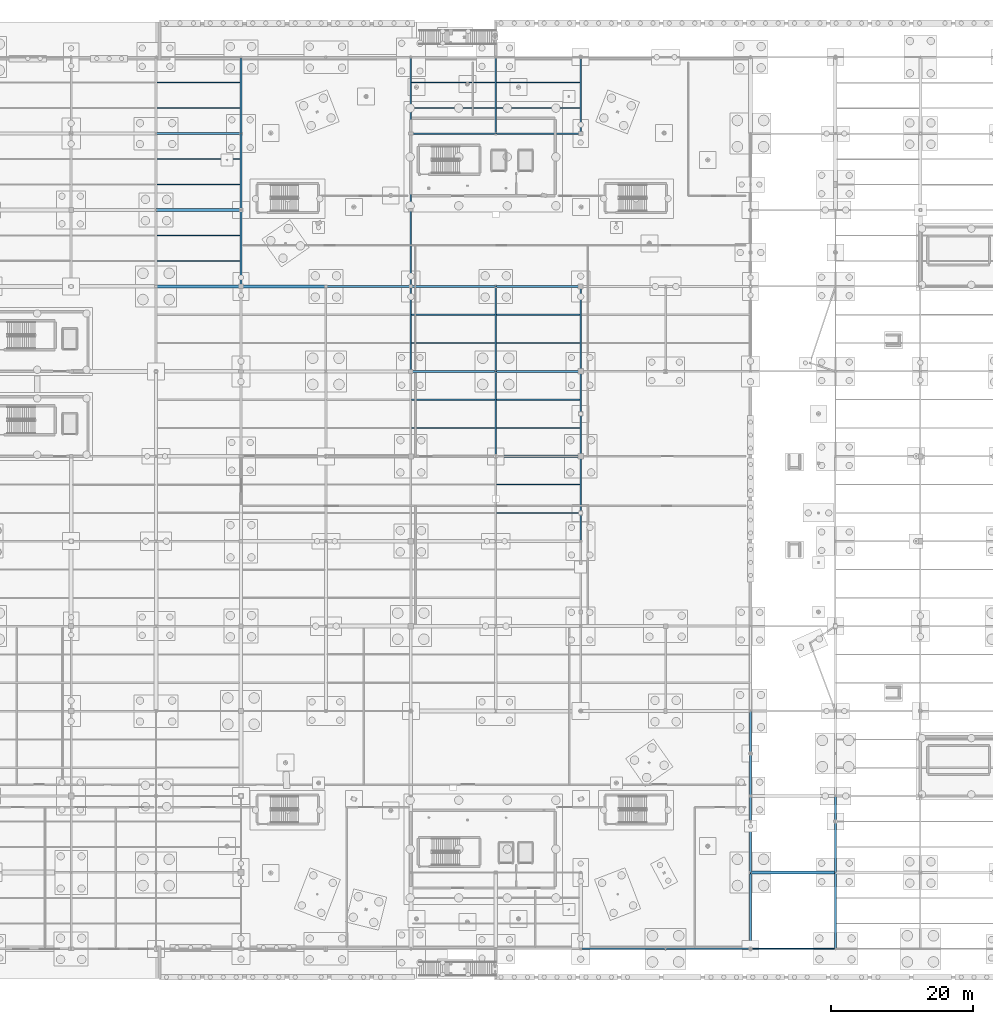
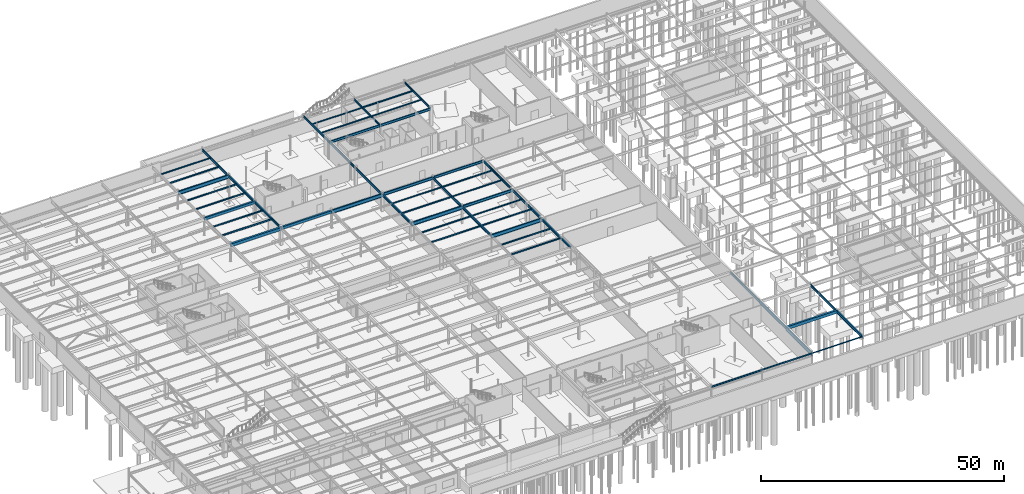
# One storey, part 83 of 136: 55 beams.
"""IFC4 building model written with IfcOpenShell, lengths in metres."""

from ifc_helpers import new_model, si_unit, direction, frame, origin, origin_2d, place, context, subcontext, project, spatial, rectangle, hollow_rectangle, i_section, extrude, material, material_profile, profile_set, type_object, element, save


model = new_model("IFC4")

# Units and contexts
model_context = context("Model", 3, precision=1e-05, world=origin(), true_north=direction((0.0, 1.0)))
body_context = subcontext(model_context, "Body", "Model", "MODEL_VIEW")
ifc_project = project(units=[si_unit("LENGTHUNIT", "METRE"), si_unit("AREAUNIT", "SQUARE_METRE"), si_unit("VOLUMEUNIT", "CUBIC_METRE"), si_unit("PLANEANGLEUNIT", "RADIAN"), si_unit("MASSUNIT", "GRAM", prefix="KILO")], contexts=[model_context])

# Site, building, storey
site_placement = place(None, origin())
site = spatial("IfcSite", under=ifc_project, at=site_placement, CompositionType="ELEMENT")
building_placement = place(site_placement, origin())
building = spatial("IfcBuilding", under=site, at=building_placement, Name="Tarnwether General Hospital", CompositionType="ELEMENT")
storey_placement = place(building_placement, frame((0.0, 0.0, -4.800048828125)))
storey = spatial("IfcBuildingStorey", under=building, at=storey_placement, Name="LG", CompositionType="ELEMENT", Elevation=-4.800048828125)

# Beams
ifc_material_1 = material(Name="Steel Grade 350 (350 MPa)", Category="steel")
ifc_material_profile_1 = material_profile(ifc_material_1, i_section(OverallWidth=0.300048828125, OverallDepth=0.89990234375, WebThickness=0.011962890625, FlangeThickness=0.02001953125, at=origin_2d()), Name="900WB175")
ifc_profile_set_1 = profile_set([ifc_material_profile_1], Name="Steel Grade 350 (350 MPa)")
beam_type_1 = type_object("IfcBeamType", Name="BM-G01", PredefinedType="BEAM", material=ifc_profile_set_1)
for number, where, z_axis, x_axis, name in (
    (1, (48.0, 115.199951171875, 3.97998046875), (1.0, 0.0, 0.0), (0.0, 1.0, 0.0), "Primary Girder BMG-LG-4800_11520-6000_11520-0119"),
    (2, (72.0, 93.60009765625, 3.97998046875), (1.0, 0.0, 0.0), (0.0, 1.0, 0.0), "Primary Girder BMG-LG-7200_9360-8400_9360-0152"),
    (3, (84.0, 81.60009765625, 3.97998046875), (1.0, 0.0, 0.0), (0.0, 1.0, 0.0), "Primary Girder BMG-LG-8400_8160-9600_8160-0167"),
    (4, (96.0, 69.60009765625, 3.97998046875), (1.0, 0.0, 0.0), (0.0, 1.0, 0.0), "Primary Girder BMG-LG-9600_6960-10800_6960-0184"),
):
    element("IfcBeam", number, at=place(storey_placement, frame(where, z_axis=z_axis, x_axis=x_axis)), inside=storey, type_object=beam_type_1, Name=name, PredefinedType="BEAM", context=body_context, shape_type="SweptSolid", body=[
        extrude(i_section(OverallWidth=0.300048828125, OverallDepth=0.89990234375, WebThickness=0.011962890625, FlangeThickness=0.02001953125, at=origin_2d()), origin(), (0.0, 0.0, 1.0), 12.0),
    ])
beam_1_placement = place(storey_placement, frame((132.0, 0.0, 3.969970703125), z_axis=(0.0, 1.0, 0.0), x_axis=(-1.0, 0.0, 0.0)))
element("IfcBeam", 5, at=beam_1_placement, inside=storey, type_object=beam_type_1, Name="Primary Girder BMG-LG-13200_0-13200_1080-0214", PredefinedType="BEAM", context=body_context, shape_type="SweptSolid", body=[
    extrude(i_section(OverallWidth=0.300048828125, OverallDepth=0.89990234375, WebThickness=0.011962890625, FlangeThickness=0.02001953125, at=origin_2d()), origin(), (0.0, 0.0, 1.0), 10.800048828125),
])
ifc_material_2 = material(Name="Steel Grade 350 (350 MPa)", Category="steel")
ifc_material_profile_2 = material_profile(ifc_material_2, i_section(OverallWidth=0.25, OverallDepth=0.69189453125, WebThickness=0.009033203125, FlangeThickness=0.01611328125, at=origin_2d()), Name="700WB115")
ifc_profile_set_2 = profile_set([ifc_material_profile_2], Name="Steel Grade 350 (350 MPa)")
beam_type_2 = type_object("IfcBeamType", Name="BM-G02", PredefinedType="BEAM", material=ifc_profile_set_2)
for number, where, z_axis, x_axis, name in (
    (6, (84.0, 93.60009765625, 4.083984375), (1.0, 0.0, 0.0), (0.0, 1.0, 0.0), "Primary Girder BMG-LG-8400_9360-9600_9360-0169"),
    (7, (96.0, 81.60009765625, 4.083984375), (1.0, 0.0, 0.0), (0.0, 1.0, 0.0), "Primary Girder BMG-LG-9600_8160-10800_8160-0186"),
):
    element("IfcBeam", number, at=place(storey_placement, frame(where, z_axis=z_axis, x_axis=x_axis)), inside=storey, type_object=beam_type_2, Name=name, PredefinedType="BEAM", context=body_context, shape_type="SweptSolid", body=[
        extrude(i_section(OverallWidth=0.25, OverallDepth=0.69189453125, WebThickness=0.009033203125, FlangeThickness=0.01611328125, at=origin_2d()), origin(), (0.0, 0.0, 1.0), 12.0),
    ])
for number, where, z_axis, x_axis, name in (
    (8, (132.0, 10.800048828125, 4.073974609375), (0.0, 1.0, 0.0), (-1.0, 0.0, 0.0), "Primary Girder BMG-LG-13200_1080-13200_2160-0216"),
    (9, (144.0, 0.0, 4.073974609375), (0.0, 1.0, 0.0), (-1.0, 0.0, 0.0), "Primary Girder BMG-LG-14400_0-14400_1080-0232"),
):
    element("IfcBeam", number, at=place(storey_placement, frame(where, z_axis=z_axis, x_axis=x_axis)), inside=storey, type_object=beam_type_2, Name=name, PredefinedType="BEAM", context=body_context, shape_type="SweptSolid", body=[
        extrude(i_section(OverallWidth=0.25, OverallDepth=0.69189453125, WebThickness=0.009033203125, FlangeThickness=0.01611328125, at=origin_2d()), origin(), (0.0, 0.0, 1.0), 10.800048828125),
    ])
ifc_material_3 = material(Name="Steel Grade 350 (350 MPa)", Category="steel")
ifc_material_profile_3 = material_profile(ifc_material_3, i_section(OverallWidth=0.22900390625, OverallDepth=0.612060546875, WebThickness=0.011962890625, FlangeThickness=0.01953125, at=origin_2d()), Name="610UB125")
ifc_profile_set_3 = profile_set([ifc_material_profile_3], Name="Steel Grade 350 (350 MPa)")
beam_type_3 = type_object("IfcBeamType", Name="BM-G03", PredefinedType="BEAM", material=ifc_profile_set_3)
beam_2_placement = place(storey_placement, frame((60.0, 93.60009765625, 4.1240234375), z_axis=(0.0, 1.0, 0.0), x_axis=(-1.0, 0.0, 0.0)))
element("IfcBeam", 10, at=beam_2_placement, inside=storey, type_object=beam_type_3, Name="Primary Girder BMG-LG-6000_9360-6000_10440-0137", PredefinedType="BEAM", context=body_context, shape_type="SweptSolid", body=[
    extrude(i_section(OverallWidth=0.22900390625, OverallDepth=0.612060546875, WebThickness=0.011962890625, FlangeThickness=0.01953125, at=origin_2d()), origin(), (0.0, 0.0, 1.0), 10.7998046875),
])
for number, where, z_axis, x_axis, name in (
    (11, (96.0, 93.60009765625, 4.1240234375), (1.0, 0.0, 0.0), (0.0, 1.0, 0.0), "Primary Girder BMG-LG-9600_9360-10800_9360-0188"),
    (12, (132.0, 21.60009765625, 4.114013671875), (0.0, 1.0, 0.0), (-1.0, 0.0, 0.0), "Primary Girder BMG-LG-13200_2160-13200_3360-0218"),
):
    element("IfcBeam", number, at=place(storey_placement, frame(where, z_axis=z_axis, x_axis=x_axis)), inside=storey, type_object=beam_type_3, Name=name, PredefinedType="BEAM", context=body_context, shape_type="SweptSolid", body=[
        extrude(i_section(OverallWidth=0.22900390625, OverallDepth=0.612060546875, WebThickness=0.011962890625, FlangeThickness=0.01953125, at=origin_2d()), origin(), (0.0, 0.0, 1.0), 12.0),
    ])
beam_3_placement = place(storey_placement, frame((144.0, 10.800048828125, 4.114013671875), z_axis=(0.0, 1.0, 0.0), x_axis=(-1.0, 0.0, 0.0)))
element("IfcBeam", 13, at=beam_3_placement, inside=storey, type_object=beam_type_3, Name="Primary Girder BMG-LG-14400_1080-14400_2160-0234", PredefinedType="BEAM", context=body_context, shape_type="SweptSolid", body=[
    extrude(i_section(OverallWidth=0.22900390625, OverallDepth=0.612060546875, WebThickness=0.011962890625, FlangeThickness=0.01953125, at=origin_2d()), origin(), (0.0, 0.0, 1.0), 10.800048828125),
])
ifc_material_4 = material(Name="Steel Grade 350 (350 MPa)", Category="steel")
ifc_material_profile_4 = material_profile(ifc_material_4, i_section(OverallWidth=0.22802734375, OverallDepth=0.60693359375, WebThickness=0.01123046875, FlangeThickness=0.017333984375, at=origin_2d()), Name="610UB113")
ifc_profile_set_4 = profile_set([ifc_material_profile_4], Name="Steel Grade 350 (350 MPa)")
beam_type_4 = type_object("IfcBeamType", Name="BM-G04", PredefinedType="BEAM", material=ifc_profile_set_4)
beam_4_placement = place(storey_placement, frame((60.0, 104.39990234375, 4.12646484375), z_axis=(0.0, 1.0, 0.0), x_axis=(-1.0, 0.0, 0.0)))
element("IfcBeam", 14, at=beam_4_placement, inside=storey, type_object=beam_type_4, Name="Primary Girder BMG-LG-6000_10440-6000_11520-0138", PredefinedType="BEAM", context=body_context, shape_type="SweptSolid", body=[
    extrude(i_section(OverallWidth=0.22802734375, OverallDepth=0.60693359375, WebThickness=0.01123046875, FlangeThickness=0.017333984375, at=origin_2d()), origin(), (0.0, 0.0, 1.0), 10.800048828125),
])
for number, where, z_axis, x_axis, name in (
    (15, (84.0, 81.60009765625, 4.12646484375), (0.0, 1.0, 0.0), (-1.0, 0.0, 0.0), "Primary Girder BMG-LG-8400_8160-8400_9360-0168"),
    (16, (84.0, 115.199951171875, 4.12646484375), (1.0, 0.0, 0.0), (0.0, 1.0, 0.0), "Primary Girder BMG-LG-8400_11520-9600_11520-0172"),
    (17, (96.0, 69.60009765625, 4.12646484375), (0.0, 1.0, 0.0), (-1.0, 0.0, 0.0), "Primary Girder BMG-LG-9600_6960-9600_8160-0185"),
    (18, (108.0, 57.60009765625, 4.12646484375), (0.0, 1.0, 0.0), (-1.0, 0.0, 0.0), "Primary Girder BMG-LG-10800_5760-10800_6960-0198"),
):
    element("IfcBeam", number, at=place(storey_placement, frame(where, z_axis=z_axis, x_axis=x_axis)), inside=storey, type_object=beam_type_4, Name=name, PredefinedType="BEAM", context=body_context, shape_type="SweptSolid", body=[
        extrude(i_section(OverallWidth=0.22802734375, OverallDepth=0.60693359375, WebThickness=0.01123046875, FlangeThickness=0.017333984375, at=origin_2d()), origin(), (0.0, 0.0, 1.0), 12.0),
    ])
ifc_material_5 = material(Name="Steel Grade 350 (350 MPa)", Category="steel")
ifc_material_profile_5 = material_profile(ifc_material_5, i_section(OverallWidth=0.22802734375, OverallDepth=0.60205078125, WebThickness=0.010498046875, FlangeThickness=0.014892578125, at=origin_2d()), Name="610UB101")
ifc_profile_set_5 = profile_set([ifc_material_profile_5], Name="Steel Grade 350 (350 MPa)")
beam_type_5 = type_object("IfcBeamType", Name="BM-G05", PredefinedType="BEAM", material=ifc_profile_set_5)
beam_5_placement = place(storey_placement, frame((60.0, 115.199951171875, 4.129150390625), z_axis=(0.0, 1.0, 0.0), x_axis=(-1.0, 0.0, 0.0)))
element("IfcBeam", 19, at=beam_5_placement, inside=storey, type_object=beam_type_5, Name="Primary Girder BMG-LG-6000_11520-6000_12600-0139", PredefinedType="BEAM", context=body_context, shape_type="SweptSolid", body=[
    extrude(i_section(OverallWidth=0.22802734375, OverallDepth=0.60205078125, WebThickness=0.010498046875, FlangeThickness=0.014892578125, at=origin_2d()), origin(), (0.0, 0.0, 1.0), 10.800048828125),
])
beam_6_placement = place(storey_placement, frame((84.0, 93.60009765625, 4.129150390625), z_axis=(0.0, 1.0, 0.0), x_axis=(-1.0, 0.0, 0.0)))
element("IfcBeam", 20, at=beam_6_placement, inside=storey, type_object=beam_type_5, Name="Primary Girder BMG-LG-8400_9360-8400_10440-0170", PredefinedType="BEAM", context=body_context, shape_type="SweptSolid", body=[
    extrude(i_section(OverallWidth=0.22802734375, OverallDepth=0.60205078125, WebThickness=0.010498046875, FlangeThickness=0.014892578125, at=origin_2d()), origin(), (0.0, 0.0, 1.0), 10.7998046875),
])
for number, where, z_axis, x_axis, name in (
    (21, (96.0, 81.60009765625, 4.129150390625), (0.0, 1.0, 0.0), (-1.0, 0.0, 0.0), "Primary Girder BMG-LG-9600_8160-9600_9360-0187"),
    (22, (96.0, 115.199951171875, 4.129150390625), (1.0, 0.0, 0.0), (0.0, 1.0, 0.0), "Primary Girder BMG-LG-9600_11520-10800_11520-0189"),
    (23, (108.0, 69.60009765625, 4.129150390625), (0.0, 1.0, 0.0), (-1.0, 0.0, 0.0), "Primary Girder BMG-LG-10800_6960-10800_8160-0199"),
):
    element("IfcBeam", number, at=place(storey_placement, frame(where, z_axis=z_axis, x_axis=x_axis)), inside=storey, type_object=beam_type_5, Name=name, PredefinedType="BEAM", context=body_context, shape_type="SweptSolid", body=[
        extrude(i_section(OverallWidth=0.22802734375, OverallDepth=0.60205078125, WebThickness=0.010498046875, FlangeThickness=0.014892578125, at=origin_2d()), origin(), (0.0, 0.0, 1.0), 12.0),
    ])
ifc_material_6 = material(Name="Steel Grade 350 (350 MPa)", Category="steel")
ifc_material_profile_6 = material_profile(ifc_material_6, i_section(OverallWidth=0.208984375, OverallDepth=0.532958984375, WebThickness=0.01025390625, FlangeThickness=0.015625, at=origin_2d()), Name="530UB92.4")
ifc_profile_set_6 = profile_set([ifc_material_profile_6], Name="Steel Grade 350 (350 MPa)")
beam_type_6 = type_object("IfcBeamType", Name="BM-G06", PredefinedType="BEAM", material=ifc_profile_set_6)
beam_7_placement = place(storey_placement, frame((84.0, 104.39990234375, 4.16357421875), z_axis=(0.0, 1.0, 0.0), x_axis=(-1.0, 0.0, 0.0)))
element("IfcBeam", 24, at=beam_7_placement, inside=storey, type_object=beam_type_6, Name="Primary Girder BMG-LG-8400_10440-8400_11520-0171", PredefinedType="BEAM", context=body_context, shape_type="SweptSolid", body=[
    extrude(i_section(OverallWidth=0.208984375, OverallDepth=0.532958984375, WebThickness=0.01025390625, FlangeThickness=0.015625, at=origin_2d()), origin(), (0.0, 0.0, 1.0), 10.800048828125),
])
beam_8_placement = place(storey_placement, frame((108.0, 81.60009765625, 4.16357421875), z_axis=(0.0, 1.0, 0.0), x_axis=(-1.0, 0.0, 0.0)))
element("IfcBeam", 25, at=beam_8_placement, inside=storey, type_object=beam_type_6, Name="Primary Girder BMG-LG-10800_8160-10800_9360-0201", PredefinedType="BEAM", context=body_context, shape_type="SweptSolid", body=[
    extrude(i_section(OverallWidth=0.208984375, OverallDepth=0.532958984375, WebThickness=0.01025390625, FlangeThickness=0.015625, at=origin_2d()), origin(), (0.0, 0.0, 1.0), 12.0),
])
ifc_material_7 = material(Name="Steel Grade 350 (350 MPa)", Category="steel")
ifc_material_profile_7 = material_profile(ifc_material_7, i_section(OverallWidth=0.208984375, OverallDepth=0.528076171875, WebThickness=0.009521484375, FlangeThickness=0.01318359375, at=origin_2d()), Name="530UB82.0")
ifc_profile_set_7 = profile_set([ifc_material_profile_7], Name="Steel Grade 350 (350 MPa)")
beam_type_7 = type_object("IfcBeamType", Name="BM-G07", PredefinedType="BEAM", material=ifc_profile_set_7)
beam_9_placement = place(storey_placement, frame((84.0, 115.199951171875, 4.166015625), z_axis=(0.0, 1.0, 0.0), x_axis=(-1.0, 0.0, 0.0)))
element("IfcBeam", 26, at=beam_9_placement, inside=storey, type_object=beam_type_7, Name="Primary Girder BMG-LG-8400_11520-8400_12600-0173", PredefinedType="BEAM", context=body_context, shape_type="SweptSolid", body=[
    extrude(i_section(OverallWidth=0.208984375, OverallDepth=0.528076171875, WebThickness=0.009521484375, FlangeThickness=0.01318359375, at=origin_2d()), origin(), (0.0, 0.0, 1.0), 10.800048828125),
])
ifc_material_8 = material(Name="Steel Grade 350 (350 MPa)", Category="steel")
ifc_material_profile_8 = material_profile(ifc_material_8, i_section(OverallWidth=0.19091796875, OverallDepth=0.4599609375, WebThickness=0.010009765625, FlangeThickness=0.01611328125, at=origin_2d()), Name="460UB82.1")
ifc_profile_set_8 = profile_set([ifc_material_profile_8], Name="Steel Grade 350 (350 MPa)")
beam_type_8 = type_object("IfcBeamType", Name="BM-G08", PredefinedType="BEAM", material=ifc_profile_set_8)
beam_10_placement = place(storey_placement, frame((96.0, 115.199951171875, 4.199951171875), z_axis=(0.0, 1.0, 0.0), x_axis=(-1.0, 0.0, 0.0)))
element("IfcBeam", 27, at=beam_10_placement, inside=storey, type_object=beam_type_8, Name="Primary Girder BMG-LG-9600_11520-9600_12600-0190", PredefinedType="BEAM", context=body_context, shape_type="SweptSolid", body=[
    extrude(i_section(OverallWidth=0.19091796875, OverallDepth=0.4599609375, WebThickness=0.010009765625, FlangeThickness=0.01611328125, at=origin_2d()), origin(), (0.0, 0.0, 1.0), 10.800048828125),
])
ifc_material_9 = material(Name="Steel Grade 350 (350 MPa)", Category="steel")
ifc_material_profile_9 = material_profile(ifc_material_9, i_section(OverallWidth=0.18994140625, OverallDepth=0.45703125, WebThickness=0.009033203125, FlangeThickness=0.014404296875, at=origin_2d()), Name="460UB74.6")
ifc_profile_set_9 = profile_set([ifc_material_profile_9], Name="Steel Grade 350 (350 MPa)")
beam_type_9 = type_object("IfcBeamType", Name="BM-G09", PredefinedType="BEAM", material=ifc_profile_set_9)
beam_11_placement = place(storey_placement, frame((108.0, 115.199951171875, 4.20166015625), z_axis=(0.0, 1.0, 0.0), x_axis=(-1.0, 0.0, 0.0)))
element("IfcBeam", 28, at=beam_11_placement, inside=storey, type_object=beam_type_9, Name="Primary Girder BMG-LG-10800_11520-10800_12600-0203", PredefinedType="BEAM", context=body_context, shape_type="SweptSolid", body=[
    extrude(i_section(OverallWidth=0.18994140625, OverallDepth=0.45703125, WebThickness=0.009033203125, FlangeThickness=0.014404296875, at=origin_2d()), origin(), (0.0, 0.0, 1.0), 10.800048828125),
])
ifc_material_10 = material(Name="Concrete 40 MPa", Category="concrete")
ifc_material_profile_10 = material_profile(ifc_material_10, rectangle(XDim=0.449951171875, YDim=0.75, at=origin_2d()), Name="RC-BM-450x750")
ifc_profile_set_10 = profile_set([ifc_material_profile_10], Name="Concrete 40 MPa")
beam_type_10 = type_object("IfcBeamType", Name="BM-G13", PredefinedType="BEAM", material=ifc_profile_set_10)
for number, where, z_axis, x_axis, name in (
    (29, (48.0, 93.60009765625, 4.054931640625), (1.0, 0.0, 0.0), (0.0, 1.0, 0.0), "Primary Girder BMG-LG-4800_9360-6000_9360-0115"),
    (30, (132.0, 10.800048828125, 4.045166015625), (1.0, 0.0, 0.0), (0.0, 1.0, 0.0), "Primary Girder BMG-LG-13200_1080-14400_1080-0215"),
):
    element("IfcBeam", number, at=place(storey_placement, frame(where, z_axis=z_axis, x_axis=x_axis)), inside=storey, type_object=beam_type_10, Name=name, PredefinedType="BEAM", context=body_context, shape_type="SweptSolid", body=[
        extrude(rectangle(XDim=0.449951171875, YDim=0.75, at=origin_2d()), origin(), (0.0, 0.0, 1.0), 12.0),
    ])
ifc_material_11 = material(Name="Concrete 40 MPa", Category="concrete")
ifc_material_profile_11 = material_profile(ifc_material_11, rectangle(XDim=0.39990234375, YDim=0.64990234375, at=origin_2d()), Name="RC-BM-400x650")
ifc_profile_set_11 = profile_set([ifc_material_profile_11], Name="Concrete 40 MPa")
beam_type_11 = type_object("IfcBeamType", Name="BM-G14", PredefinedType="BEAM", material=ifc_profile_set_11)
for number, where, z_axis, x_axis, name in (
    (31, (48.0, 104.39990234375, 4.10498046875), (1.0, 0.0, 0.0), (0.0, 1.0, 0.0), "Primary Girder BMG-LG-4800_10440-6000_10440-0117"),
    (32, (60.0, 93.60009765625, 4.10498046875), (1.0, 0.0, 0.0), (0.0, 1.0, 0.0), "Primary Girder BMG-LG-6000_9360-7200_9360-0136"),
):
    element("IfcBeam", number, at=place(storey_placement, frame(where, z_axis=z_axis, x_axis=x_axis)), inside=storey, type_object=beam_type_11, Name=name, PredefinedType="BEAM", context=body_context, shape_type="SweptSolid", body=[
        extrude(rectangle(XDim=0.39990234375, YDim=0.64990234375, at=origin_2d()), origin(), (0.0, 0.0, 1.0), 12.0),
    ])
ifc_material_12 = material(Name="Steel Grade 350 (350 MPa)", Category="steel")
ifc_material_profile_12 = material_profile(ifc_material_12, i_section(OverallWidth=0.177978515625, OverallDepth=0.403076171875, WebThickness=0.007568359375, FlangeThickness=0.010986328125, at=origin_2d()), Name="410UB53.7")
ifc_profile_set_12 = profile_set([ifc_material_profile_12], Name="Steel Grade 350 (350 MPa)")
beam_type_12 = type_object("IfcBeamType", Name="BM-J02", PredefinedType="JOIST", material=ifc_profile_set_12)
beam_12_placement = place(storey_placement, frame((48.118896484375, 97.199951171875, 4.228515625), z_axis=(1.0, 0.0, 0.0), x_axis=(0.0, 1.0, 0.0)))
element("IfcBeam", 33, at=beam_12_placement, inside=storey, type_object=beam_type_12, Name="Composite Floor Joist BMG-LG-4812_9720-5989_9720-0429", PredefinedType="JOIST", context=body_context, shape_type="SweptSolid", body=[
    extrude(i_section(OverallWidth=0.177978515625, OverallDepth=0.403076171875, WebThickness=0.007568359375, FlangeThickness=0.010986328125, at=origin_2d()), origin(), (0.0, 0.0, 1.0), 11.773193359375),
])
ifc_material_13 = material(Name="Steel Grade 350 (350 MPa)", Category="steel")
ifc_material_profile_13 = material_profile(ifc_material_13, i_section(OverallWidth=0.172119140625, OverallDepth=0.35888671875, WebThickness=0.008056640625, FlangeThickness=0.012939453125, at=origin_2d()), Name="360UB56.7")
ifc_profile_set_13 = profile_set([ifc_material_profile_13], Name="Steel Grade 350 (350 MPa)")
beam_type_13 = type_object("IfcBeamType", Name="BM-J03", PredefinedType="JOIST", material=ifc_profile_set_13)
beam_13_placement = place(storey_placement, frame((48.118896484375, 100.800048828125, 4.25048828125), z_axis=(1.0, 0.0, 0.0), x_axis=(0.0, 1.0, 0.0)))
element("IfcBeam", 34, at=beam_13_placement, inside=storey, type_object=beam_type_13, Name="Composite Floor Joist BMG-LG-4812_10080-5989_10080-0430", PredefinedType="JOIST", context=body_context, shape_type="SweptSolid", body=[
    extrude(i_section(OverallWidth=0.172119140625, OverallDepth=0.35888671875, WebThickness=0.008056640625, FlangeThickness=0.012939453125, at=origin_2d()), origin(), (0.0, 0.0, 1.0), 11.773193359375),
])
beam_14_placement = place(storey_placement, frame((48.10791015625, 108.0, 4.25048828125), z_axis=(1.0, 0.0, 0.0), x_axis=(0.0, 1.0, 0.0)))
element("IfcBeam", 35, at=beam_14_placement, inside=storey, type_object=beam_type_13, Name="Composite Floor Joist BMG-LG-4811_10800-5989_10800-0431", PredefinedType="JOIST", context=body_context, shape_type="SweptSolid", body=[
    extrude(i_section(OverallWidth=0.172119140625, OverallDepth=0.35888671875, WebThickness=0.008056640625, FlangeThickness=0.012939453125, at=origin_2d()), origin(), (0.0, 0.0, 1.0), 11.7841796875),
])
for number, where, z_axis, x_axis, name in (
    (36, (84.10888671875, 73.60009765625, 4.25048828125), (1.0, 0.0, 0.0), (0.0, 1.0, 0.0), "Composite Floor Joist BMG-LG-8411_7360-9589_7360-0463"),
    (37, (96.10888671875, 61.60009765625, 4.25048828125), (1.0, 0.0, 0.0), (0.0, 1.0, 0.0), "Composite Floor Joist BMG-LG-9611_6160-10789_6160-0475"),
):
    element("IfcBeam", number, at=place(storey_placement, frame(where, z_axis=z_axis, x_axis=x_axis)), inside=storey, type_object=beam_type_13, Name=name, PredefinedType="JOIST", context=body_context, shape_type="SweptSolid", body=[
        extrude(i_section(OverallWidth=0.172119140625, OverallDepth=0.35888671875, WebThickness=0.008056640625, FlangeThickness=0.012939453125, at=origin_2d()), origin(), (0.0, 0.0, 1.0), 11.783203125),
    ])
ifc_material_14 = material(Name="Steel Grade 350 (350 MPa)", Category="steel")
ifc_material_profile_14 = material_profile(ifc_material_14, i_section(OverallWidth=0.1708984375, OverallDepth=0.35595703125, WebThickness=0.00732421875, FlangeThickness=0.011474609375, at=origin_2d()), Name="360UB50.7")
ifc_profile_set_14 = profile_set([ifc_material_profile_14], Name="Steel Grade 350 (350 MPa)")
beam_type_14 = type_object("IfcBeamType", Name="BM-J04", PredefinedType="JOIST", material=ifc_profile_set_14)
for number, where, z_axis, x_axis, name in (
    (38, (48.10791015625, 111.60009765625, 4.251953125), (1.0, 0.0, 0.0), (0.0, 1.0, 0.0), "Composite Floor Joist BMG-LG-4811_11160-5989_11160-0432"),
    (39, (48.10791015625, 118.800048828125, 4.251953125), (1.0, 0.0, 0.0), (0.0, 1.0, 0.0), "Composite Floor Joist BMG-LG-4811_11880-5989_11880-0433"),
):
    element("IfcBeam", number, at=place(storey_placement, frame(where, z_axis=z_axis, x_axis=x_axis)), inside=storey, type_object=beam_type_14, Name=name, PredefinedType="JOIST", context=body_context, shape_type="SweptSolid", body=[
        extrude(i_section(OverallWidth=0.1708984375, OverallDepth=0.35595703125, WebThickness=0.00732421875, FlangeThickness=0.011474609375, at=origin_2d()), origin(), (0.0, 0.0, 1.0), 11.7841796875),
    ])
beam_15_placement = place(storey_placement, frame((84.10888671875, 77.60009765625, 4.251953125), z_axis=(1.0, 0.0, 0.0), x_axis=(0.0, 1.0, 0.0)))
element("IfcBeam", 40, at=beam_15_placement, inside=storey, type_object=beam_type_14, Name="Composite Floor Joist BMG-LG-8411_7760-9589_7760-0464", PredefinedType="JOIST", context=body_context, shape_type="SweptSolid", body=[
    extrude(i_section(OverallWidth=0.1708984375, OverallDepth=0.35595703125, WebThickness=0.00732421875, FlangeThickness=0.011474609375, at=origin_2d()), origin(), (0.0, 0.0, 1.0), 11.783203125),
])
beam_16_placement = place(storey_placement, frame((84.10791015625, 85.60009765625, 4.251953125), z_axis=(1.0, 0.0, 0.0), x_axis=(0.0, 1.0, 0.0)))
element("IfcBeam", 41, at=beam_16_placement, inside=storey, type_object=beam_type_14, Name="Composite Floor Joist BMG-LG-8411_8560-9589_8560-0465", PredefinedType="JOIST", context=body_context, shape_type="SweptSolid", body=[
    extrude(i_section(OverallWidth=0.1708984375, OverallDepth=0.35595703125, WebThickness=0.00732421875, FlangeThickness=0.011474609375, at=origin_2d()), origin(), (0.0, 0.0, 1.0), 11.7841796875),
])
beam_17_placement = place(storey_placement, frame((96.10888671875, 65.60009765625, 4.251953125), z_axis=(1.0, 0.0, 0.0), x_axis=(0.0, 1.0, 0.0)))
element("IfcBeam", 42, at=beam_17_placement, inside=storey, type_object=beam_type_14, Name="Composite Floor Joist BMG-LG-9611_6560-10789_6560-0476", PredefinedType="JOIST", context=body_context, shape_type="SweptSolid", body=[
    extrude(i_section(OverallWidth=0.1708984375, OverallDepth=0.35595703125, WebThickness=0.00732421875, FlangeThickness=0.011474609375, at=origin_2d()), origin(), (0.0, 0.0, 1.0), 11.783203125),
])
beam_18_placement = place(storey_placement, frame((96.10791015625, 73.60009765625, 4.251953125), z_axis=(1.0, 0.0, 0.0), x_axis=(0.0, 1.0, 0.0)))
element("IfcBeam", 43, at=beam_18_placement, inside=storey, type_object=beam_type_14, Name="Composite Floor Joist BMG-LG-9611_7360-10789_7360-0477", PredefinedType="JOIST", context=body_context, shape_type="SweptSolid", body=[
    extrude(i_section(OverallWidth=0.1708984375, OverallDepth=0.35595703125, WebThickness=0.00732421875, FlangeThickness=0.011474609375, at=origin_2d()), origin(), (0.0, 0.0, 1.0), 11.7841796875),
])
ifc_material_15 = material(Name="Steel Grade 350 (350 MPa)", Category="steel")
ifc_material_profile_15 = material_profile(ifc_material_15, i_section(OverallWidth=0.166015625, OverallDepth=0.306884765625, WebThickness=0.006591796875, FlangeThickness=0.01171875, at=origin_2d()), Name="310UB46.2")
ifc_profile_set_15 = profile_set([ifc_material_profile_15], Name="Steel Grade 350 (350 MPa)")
beam_type_15 = type_object("IfcBeamType", Name="BM-J05", PredefinedType="JOIST", material=ifc_profile_set_15)
for number, where, z_axis, x_axis, name in (
    (44, (48.10791015625, 122.39990234375, 4.276611328125), (1.0, 0.0, 0.0), (0.0, 1.0, 0.0), "Composite Floor Joist BMG-LG-4811_12240-5989_12240-0434"),
    (45, (84.10791015625, 89.60009765625, 4.276611328125), (1.0, 0.0, 0.0), (0.0, 1.0, 0.0), "Composite Floor Joist BMG-LG-8411_8960-9589_8960-0466"),
    (46, (96.10791015625, 77.60009765625, 4.276611328125), (1.0, 0.0, 0.0), (0.0, 1.0, 0.0), "Composite Floor Joist BMG-LG-9611_7760-10789_7760-0478"),
):
    element("IfcBeam", number, at=place(storey_placement, frame(where, z_axis=z_axis, x_axis=x_axis)), inside=storey, type_object=beam_type_15, Name=name, PredefinedType="JOIST", context=body_context, shape_type="SweptSolid", body=[
        extrude(i_section(OverallWidth=0.166015625, OverallDepth=0.306884765625, WebThickness=0.006591796875, FlangeThickness=0.01171875, at=origin_2d()), origin(), (0.0, 0.0, 1.0), 11.7841796875),
    ])
beam_19_placement = place(storey_placement, frame((96.10791015625, 85.60009765625, 4.276611328125), z_axis=(1.0, 0.0, 0.0), x_axis=(0.0, 1.0, 0.0)))
element("IfcBeam", 47, at=beam_19_placement, inside=storey, type_object=beam_type_15, Name="Composite Floor Joist BMG-LG-9611_8560-10790_8560-0479", PredefinedType="JOIST", context=body_context, shape_type="SweptSolid", body=[
    extrude(i_section(OverallWidth=0.166015625, OverallDepth=0.306884765625, WebThickness=0.006591796875, FlangeThickness=0.01171875, at=origin_2d()), origin(), (0.0, 0.0, 1.0), 11.79296875),
])
ifc_material_16 = material(Name="Steel Grade 350 (350 MPa)", Category="steel")
ifc_material_profile_16 = material_profile(ifc_material_16, i_section(OverallWidth=0.1708984375, OverallDepth=0.35205078125, WebThickness=0.0068359375, FlangeThickness=0.009765625, at=origin_2d()), Name="360UB44.7")
ifc_profile_set_16 = profile_set([ifc_material_profile_16], Name="Steel Grade 350 (350 MPa)")
beam_type_16 = type_object("IfcBeamType", Name="BM-J06", PredefinedType="JOIST", material=ifc_profile_set_16)
beam_20_placement = place(storey_placement, frame((96.10791015625, 89.60009765625, 4.254150390625), z_axis=(1.0, 0.0, 0.0), x_axis=(0.0, 1.0, 0.0)))
element("IfcBeam", 48, at=beam_20_placement, inside=storey, type_object=beam_type_16, Name="Composite Floor Joist BMG-LG-9611_8960-10790_8960-0480", PredefinedType="JOIST", context=body_context, shape_type="SweptSolid", body=[
    extrude(i_section(OverallWidth=0.1708984375, OverallDepth=0.35205078125, WebThickness=0.0068359375, FlangeThickness=0.009765625, at=origin_2d()), origin(), (0.0, 0.0, 1.0), 11.79296875),
])
ifc_material_17 = material(Name="Steel Grade 350 (350 MPa)", Category="steel")
ifc_material_profile_17 = material_profile(ifc_material_17, i_section(OverallWidth=0.1650390625, OverallDepth=0.303955078125, WebThickness=0.006103515625, FlangeThickness=0.01025390625, at=origin_2d()), Name="310UB40.4")
ifc_profile_set_17 = profile_set([ifc_material_profile_17], Name="Steel Grade 350 (350 MPa)")
beam_type_17 = type_object("IfcBeamType", Name="BM-J07", PredefinedType="JOIST", material=ifc_profile_set_17)
beam_21_placement = place(storey_placement, frame((84.09912109375, 118.800048828125, 4.278076171875), z_axis=(1.0, 0.0, 0.0), x_axis=(0.0, 1.0, 0.0)))
element("IfcBeam", 49, at=beam_21_placement, inside=storey, type_object=beam_type_17, Name="Composite Floor Joist BMG-LG-8410_11880-9591_11880-0467", PredefinedType="JOIST", context=body_context, shape_type="SweptSolid", body=[
    extrude(i_section(OverallWidth=0.1650390625, OverallDepth=0.303955078125, WebThickness=0.006103515625, FlangeThickness=0.01025390625, at=origin_2d()), origin(), (0.0, 0.0, 1.0), 11.810791015625),
])
ifc_material_18 = material(Name="Steel Grade 350 (350 MPa)", Category="steel")
ifc_material_profile_18 = material_profile(ifc_material_18, i_section(OverallWidth=0.14892578125, OverallDepth=0.298095703125, WebThickness=0.005615234375, FlangeThickness=0.008056640625, at=origin_2d()), Name="310UB32.0")
ifc_profile_set_18 = profile_set([ifc_material_profile_18], Name="Steel Grade 350 (350 MPa)")
beam_type_18 = type_object("IfcBeamType", Name="BM-J08", PredefinedType="JOIST", material=ifc_profile_set_18)
beam_22_placement = place(storey_placement, frame((84.09912109375, 122.39990234375, 4.281005859375), z_axis=(1.0, 0.0, 0.0), x_axis=(0.0, 1.0, 0.0)))
element("IfcBeam", 50, at=beam_22_placement, inside=storey, type_object=beam_type_18, Name="Composite Floor Joist BMG-LG-8410_12240-9591_12240-0468", PredefinedType="JOIST", context=body_context, shape_type="SweptSolid", body=[
    extrude(i_section(OverallWidth=0.14892578125, OverallDepth=0.298095703125, WebThickness=0.005615234375, FlangeThickness=0.008056640625, at=origin_2d()), origin(), (0.0, 0.0, 1.0), 11.810791015625),
])
beam_23_placement = place(storey_placement, frame((96.090087890625, 118.800048828125, 4.281005859375), z_axis=(1.0, 0.0, 0.0), x_axis=(0.0, 1.0, 0.0)))
element("IfcBeam", 51, at=beam_23_placement, inside=storey, type_object=beam_type_18, Name="Composite Floor Joist BMG-LG-9609_11880-10791_11880-0481", PredefinedType="JOIST", context=body_context, shape_type="SweptSolid", body=[
    extrude(i_section(OverallWidth=0.14892578125, OverallDepth=0.298095703125, WebThickness=0.005615234375, FlangeThickness=0.008056640625, at=origin_2d()), origin(), (0.0, 0.0, 1.0), 11.82080078125),
])
ifc_material_19 = material(Name="Steel Grade 350 (350 MPa)", Category="steel")
ifc_material_profile_19 = material_profile(ifc_material_19, i_section(OverallWidth=0.14599609375, OverallDepth=0.256103515625, WebThickness=0.00634765625, FlangeThickness=0.010986328125, at=origin_2d()), Name="250UB37.3")
ifc_profile_set_19 = profile_set([ifc_material_profile_19], Name="Steel Grade 350 (350 MPa)")
beam_type_19 = type_object("IfcBeamType", Name="BM-J09", PredefinedType="JOIST", material=ifc_profile_set_19)
beam_24_placement = place(storey_placement, frame((96.090087890625, 122.39990234375, 4.302001953125), z_axis=(1.0, 0.0, 0.0), x_axis=(0.0, 1.0, 0.0)))
element("IfcBeam", 52, at=beam_24_placement, inside=storey, type_object=beam_type_19, Name="Composite Floor Joist BMG-LG-9609_12240-10791_12240-0482", PredefinedType="JOIST", context=body_context, shape_type="SweptSolid", body=[
    extrude(i_section(OverallWidth=0.14599609375, OverallDepth=0.256103515625, WebThickness=0.00634765625, FlangeThickness=0.010986328125, at=origin_2d()), origin(), (0.0, 0.0, 1.0), 11.82080078125),
])
ifc_material_20 = material(Name="Steel Grade 350 (350 MPa)", Category="steel")
ifc_material_profile_20 = material_profile(ifc_material_20, i_section(OverallWidth=0.177978515625, OverallDepth=0.403076171875, WebThickness=0.007568359375, FlangeThickness=0.010986328125, at=origin_2d()), Name="410UB53.7")
ifc_profile_set_20 = profile_set([ifc_material_profile_20], Name="Steel Grade 350 (350 MPa)")
beam_type_20 = type_object("IfcBeamType", Name="BM-SP2", PredefinedType="SPANDREL", material=ifc_profile_set_20)
beam_25_placement = place(storey_placement, frame((108.0, 0.0, 4.228515625), z_axis=(1.0, 0.0, 0.0), x_axis=(0.0, 1.0, 0.0)))
element("IfcBeam", 53, at=beam_25_placement, inside=storey, type_object=beam_type_20, Name="Primary Girder BMG-LG-10800_0-12000_0-0192", PredefinedType="SPANDREL", context=body_context, shape_type="SweptSolid", body=[
    extrude(i_section(OverallWidth=0.177978515625, OverallDepth=0.403076171875, WebThickness=0.007568359375, FlangeThickness=0.010986328125, at=origin_2d()), origin(), (0.0, 0.0, 1.0), 12.0),
])
ifc_material_21 = material(Name="Steel Grade C350L0 (350 MPa)", Category="steel")
ifc_material_profile_21 = material_profile(ifc_material_21, hollow_rectangle(XDim=0.199951171875, YDim=0.300048828125, WallThickness=0.012451171875, at=origin_2d()), Name="RHS300x200x12.5")
ifc_profile_set_21 = profile_set([ifc_material_profile_21], Name="Steel Grade C350L0 (350 MPa)")
beam_type_21 = type_object("IfcBeamType", Name="BM-SP3", PredefinedType="SPANDREL", material=ifc_profile_set_21)
beam_26_placement = place(storey_placement, frame((120.0, 0.0, 4.280029296875), z_axis=(1.0, 0.0, 0.0), x_axis=(0.0, 1.0, 0.0)))
element("IfcBeam", 54, at=beam_26_placement, inside=storey, type_object=beam_type_21, Name="Primary Girder BMG-LG-12000_0-13200_0-0205", PredefinedType="SPANDREL", context=body_context, shape_type="SweptSolid", body=[
    extrude(hollow_rectangle(XDim=0.199951171875, YDim=0.300048828125, WallThickness=0.012451171875, at=origin_2d()), origin(), (0.0, 0.0, 1.0), 12.0),
])
ifc_material_22 = material(Name="Steel Grade C350L0 (350 MPa)", Category="steel")
ifc_material_profile_22 = material_profile(ifc_material_22, hollow_rectangle(XDim=0.14990234375, YDim=0.25, WallThickness=0.010009765625, at=origin_2d()), Name="RHS250x150x10")
ifc_profile_set_22 = profile_set([ifc_material_profile_22], Name="Steel Grade C350L0 (350 MPa)")
beam_type_22 = type_object("IfcBeamType", Name="BM-SP4", PredefinedType="SPANDREL", material=ifc_profile_set_22)
beam_27_placement = place(storey_placement, frame((132.0, 0.0, 4.295166015625), z_axis=(1.0, 0.0, 0.0), x_axis=(0.0, 1.0, 0.0)))
element("IfcBeam", 55, at=beam_27_placement, inside=storey, type_object=beam_type_22, Name="Primary Girder BMG-LG-13200_0-14400_0-0213", PredefinedType="SPANDREL", context=body_context, shape_type="SweptSolid", body=[
    extrude(hollow_rectangle(XDim=0.14990234375, YDim=0.25, WallThickness=0.010009765625, at=origin_2d()), origin(), (0.0, 0.0, 1.0), 12.0),
])

save(model, "model.ifc")
